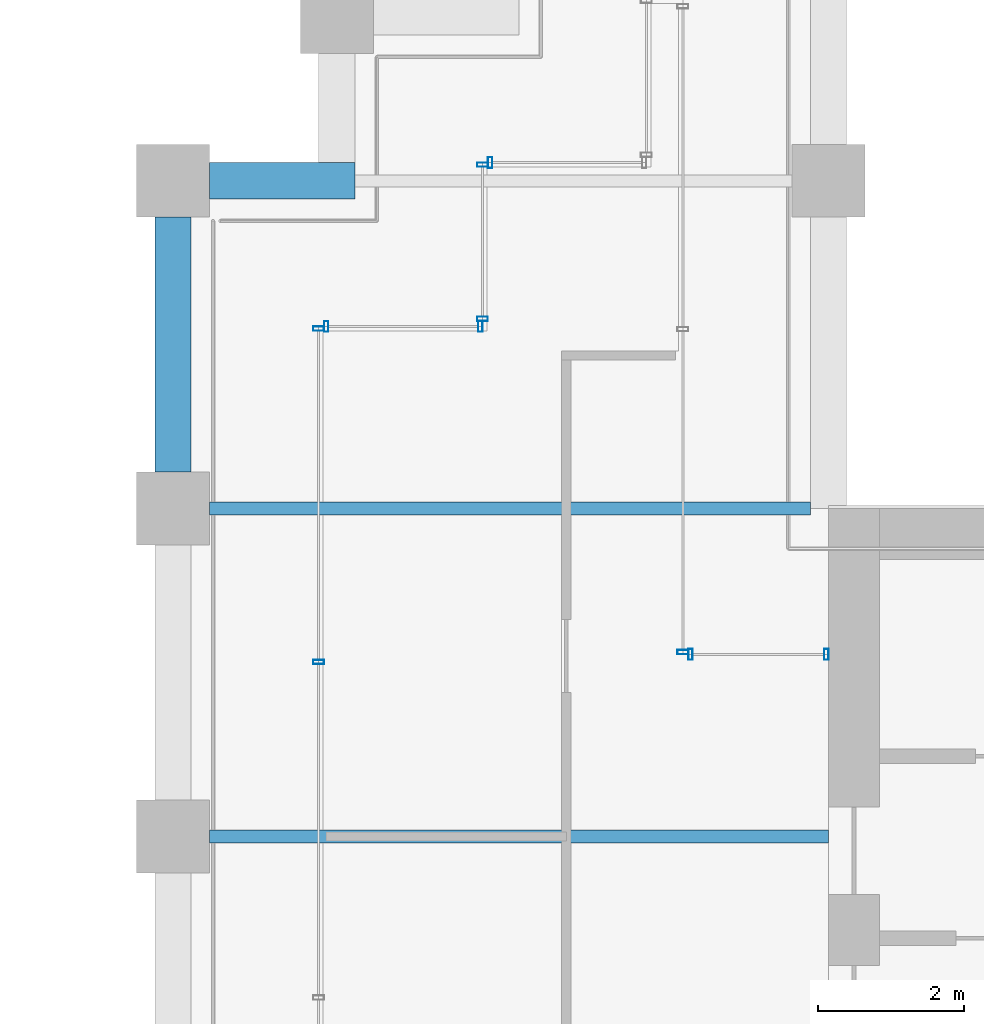
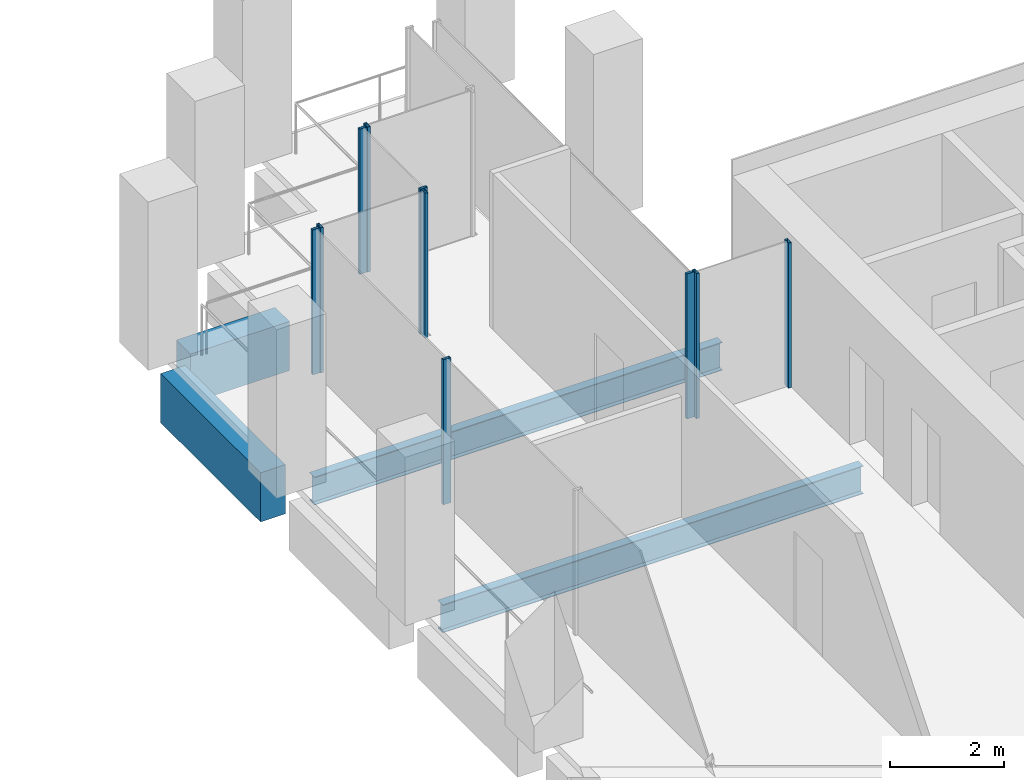
# One storey, part 34 of 45: 10 members, 4 beams, 6 elements without a shape of their own.
"""IFC4 building model written with IfcOpenShell, lengths in metres."""

import ifcopenshell
import ifcopenshell.guid

model = None  # the IFC model being written
_history = None  # IfcOwnerHistory: only IFC2X3 demands one
_inside = {}  # id of a spatial element -> (the spatial element, [elements in it])
_under = {}  # id of a project, library or spatial element -> (it, [spatial elements below it])
_declared = {}  # id of a project -> (the project, [libraries it declares])
_typed = {}  # id of a type object -> (the type object, [elements of that type])
_made_of = {}  # id of a material, layer set ... -> (it, [elements and type objects made of it])


def new_model(schema):
    """Start an empty IFC model of exactly this schema.

    Asked for "IFC4X3", IfcOpenShell would pick the latest addendum, in which some entities
    have other attributes; the version numbers below select the first issue.
    IFC2X3 requires an IfcOwnerHistory on every rooted entity: one is made here for all.
    """
    global model, _history
    if schema == "IFC4X3":
        model = ifcopenshell.file(schema_version=(4, 3, 0, 0))
    else:
        model = ifcopenshell.file(schema=schema)
    _inside.clear()
    _under.clear()
    _declared.clear()
    _typed.clear()
    _made_of.clear()
    _history = None
    if model.schema == "IFC2X3":
        org = make("IfcOrganization", Name="unknown")
        user = make(
            "IfcPersonAndOrganization",
            ThePerson=make("IfcPerson", FamilyName="unknown"),
            TheOrganization=org,
        )
        app = make(
            "IfcApplication",
            ApplicationDeveloper=org,
            Version="unknown",
            ApplicationFullName="unknown",
            ApplicationIdentifier="unknown",
        )
        _history = make(
            "IfcOwnerHistory",
            OwningUser=user,
            OwningApplication=app,
            ChangeAction="ADDED",
            CreationDate=0,
        )
    return model


def make(cls, **values):
    """One entity of the class cls with the attributes given. An attribute that is None is left unset."""
    return model.create_entity(
        cls, **{name: value for name, value in values.items() if value is not None}
    )


def rooted(cls, **values):
    """An entity with a GlobalId (a new one), such as an element, a storey or a relation."""
    return make(cls, GlobalId=ifcopenshell.guid.new(), OwnerHistory=_history, **values)


def si_unit(unit_type, name, prefix=None):
    """IfcSIUnit, for example si_unit("LENGTHUNIT", "METRE", prefix="MILLI")."""
    return make("IfcSIUnit", UnitType=unit_type, Prefix=prefix, Name=name)


def assignment(units):
    """IfcUnitAssignment: the units of a project."""
    return None if units is None else make("IfcUnitAssignment", Units=units)


def point(xyz):
    """IfcCartesianPoint."""
    return None if xyz is None else make("IfcCartesianPoint", Coordinates=xyz)


def direction(xyz):
    """IfcDirection."""
    return None if xyz is None else make("IfcDirection", DirectionRatios=xyz)


def frame(location, z_axis=None, x_axis=None):
    """IfcAxis2Placement3D, a coordinate frame: its origin and axes. An axis left out is left unset."""
    return make(
        "IfcAxis2Placement3D",
        Location=point(location),
        Axis=direction(z_axis),
        RefDirection=direction(x_axis),
    )


def frame_2d(location, x_axis=None):
    """IfcAxis2Placement2D, a coordinate frame in the plane: its origin and x axis."""
    return make(
        "IfcAxis2Placement2D", Location=point(location), RefDirection=direction(x_axis)
    )


def origin():
    """The frame at (0, 0, 0) with its axes left unset."""
    return frame((0.0, 0.0, 0.0))


def origin_2d():
    """The frame at (0, 0) in the plane with its x axis left unset."""
    return frame_2d((0.0, 0.0))


def place(relative_to, where):
    """IfcLocalPlacement: puts the frame where relative to a parent placement (None: the world)."""
    return make(
        "IfcLocalPlacement", PlacementRelTo=relative_to, RelativePlacement=where
    )


def context(
    kind, dimensions, precision=None, world=None, true_north=None, identifier=None
):
    """IfcGeometricRepresentationContext, for example the 3D "Model" context."""
    return make(
        "IfcGeometricRepresentationContext",
        ContextIdentifier=identifier,
        ContextType=kind,
        CoordinateSpaceDimension=dimensions,
        Precision=precision,
        WorldCoordinateSystem=world,
        TrueNorth=true_north,
    )


def subcontext(parent, identifier, kind, view, scale=None):
    """IfcGeometricRepresentationSubContext, for example "Body" below "Model"."""
    return make(
        "IfcGeometricRepresentationSubContext",
        ContextIdentifier=identifier,
        ContextType=kind,
        ParentContext=parent,
        TargetScale=scale,
        TargetView=view,
    )


def project(units=None, contexts=None):
    """IfcProject with its units and contexts."""
    return rooted(
        "IfcProject",
        Name="project",
        RepresentationContexts=contexts,
        UnitsInContext=assignment(units),
    )


def spatial(cls, under=None, at=None, **own):
    """A site, building, storey or space (cls), placed at a placement, below another one or the project."""
    s = rooted(cls, ObjectPlacement=at, **own)
    if under is not None:
        _under.setdefault(under.id(), (under, []))[1].append(s)
    return s


def profile(cls, at=None, kind="AREA", **sizes):
    """A parametric profile (cls). Its sizes go by their IFC names, for example OverallWidth=200.0."""
    return make(cls, ProfileType=kind, Position=at, **sizes)


def rectangle(**sizes):
    """IfcRectangleProfileDef."""
    return profile("IfcRectangleProfileDef", **sizes)


def hollow_rectangle(**sizes):
    """IfcRectangleHollowProfileDef."""
    return profile("IfcRectangleHollowProfileDef", **sizes)


def i_section(**sizes):
    """IfcIShapeProfileDef."""
    return profile("IfcIShapeProfileDef", **sizes)


def extrude(swept, where, along, depth):
    """IfcExtrudedAreaSolid: the profile swept, set in the frame where, extruded along a direction by depth."""
    return make(
        "IfcExtrudedAreaSolid",
        SweptArea=swept,
        Position=where,
        ExtrudedDirection=direction(along),
        Depth=depth,
    )


def shape(context_of_items, identifier, shape_type, items):
    """IfcShapeRepresentation: the items that make up one representation, for example the "Body"."""
    return make(
        "IfcShapeRepresentation",
        ContextOfItems=context_of_items,
        RepresentationIdentifier=identifier,
        RepresentationType=shape_type,
        Items=items,
    )


def material(Name=None, Category=None):
    """IfcMaterial."""
    return make("IfcMaterial", Name=Name, Category=Category)


def material_profile(
    of_material, cross_section, Name=None, Category=None, Priority=None
):
    """IfcMaterialProfile: a cross section and its material."""
    return make(
        "IfcMaterialProfile",
        Name=Name,
        Material=of_material,
        Profile=cross_section,
        Priority=Priority,
        Category=Category,
    )


def profile_set(profiles, Name=None, composite=None):
    """IfcMaterialProfileSet."""
    return make(
        "IfcMaterialProfileSet",
        Name=Name,
        MaterialProfiles=profiles,
        CompositeProfile=composite,
    )


def made_of(thing, what):
    """Note that an element or type object is made of a material, layer set ...; save() writes the relation."""
    if what is not None:
        _made_of.setdefault(what.id(), (what, []))[1].append(thing)
    return thing


def type_object(cls, material=None, **own):
    """A type object (cls), such as IfcWallType, which elements share."""
    return made_of(rooted(cls, **own), material)


def element(
    cls,
    number,
    at=None,
    inside=None,
    cuts=None,
    type_object=None,
    material=None,
    context=None,
    identifier="Body",
    shape_type=None,
    held_by="IfcProductDefinitionShape",
    body=None,
    shapes=None,
    **own,
):
    """One element of the class cls, such as IfcWall. Its Tag is "e" and its number.

    at: its placement. inside: the storey or other place that contains it. cuts: it is an
    opening in that element (IfcRelVoidsElement). A single representation is given by context,
    identifier, shape_type and body (its items); several are given by shapes. held_by: the class
    of the entity that holds the representations. save() writes the other relations.
    """
    e = rooted(cls, Tag="e%d" % number, ObjectPlacement=at, **own)
    if body is not None:
        shapes = [shape(context, identifier, shape_type, body)]
    if shapes is not None:
        e.Representation = make(held_by, Representations=shapes)
    if inside is not None:
        _inside.setdefault(inside.id(), (inside, []))[1].append(e)
    if cuts is not None:
        rooted(
            "IfcRelVoidsElement", RelatingBuildingElement=cuts, RelatedOpeningElement=e
        )
    if type_object is not None:
        _typed.setdefault(type_object.id(), (type_object, []))[1].append(e)
    return made_of(e, material)


def aggregate(whole, parts):
    """IfcRelAggregates: a whole, such as a stair, and the parts it consists of."""
    return rooted("IfcRelAggregates", RelatingObject=whole, RelatedObjects=parts)


def save(model, path):
    """Write the relations noted so far, then the file.

    IfcRelAggregates (storeys below a building ...), IfcRelContainedInSpatialStructure (elements
    in a storey), IfcRelDefinesByType, IfcRelAssociatesMaterial and IfcRelDeclares: one each for
    every whole, place, type object, material and project.
    """
    for whole, parts in _under.values():
        aggregate(whole, parts)
    for where, things in _inside.values():
        rooted(
            "IfcRelContainedInSpatialStructure",
            RelatedElements=things,
            RelatingStructure=where,
        )
    for kind, things in _typed.values():
        rooted("IfcRelDefinesByType", RelatedObjects=things, RelatingType=kind)
    for what, things in _made_of.values():
        rooted("IfcRelAssociatesMaterial", RelatedObjects=things, RelatingMaterial=what)
    for by, libraries in _declared.values():
        rooted("IfcRelDeclares", RelatingContext=by, RelatedDefinitions=libraries)
    model.write(path)


model = new_model("IFC4")

# Units and contexts
model_context = context("Model", 3, precision=1e-05, world=origin(), true_north=direction((0.0, 1.0)))
body_context = subcontext(model_context, "Body", "Model", "MODEL_VIEW")
ifc_project = project(units=[si_unit("LENGTHUNIT", "METRE"), si_unit("AREAUNIT", "SQUARE_METRE"), si_unit("VOLUMEUNIT", "CUBIC_METRE"), si_unit("PLANEANGLEUNIT", "RADIAN"), si_unit("MASSUNIT", "GRAM", prefix="KILO")], contexts=[model_context])

# Site, building, storey
site_placement = place(None, origin())
site = spatial("IfcSite", under=ifc_project, at=site_placement, CompositionType="ELEMENT")
building_placement = place(site_placement, origin())
building = spatial("IfcBuilding", under=site, at=building_placement, Name="Altepetl Exchange Towers", CompositionType="ELEMENT")
storey_placement = place(building_placement, frame((0.0, 0.0, 110.0)))
storey = spatial("IfcBuildingStorey", under=building, at=storey_placement, Name="L27", CompositionType="ELEMENT", Elevation=110.0)

# Beams
ifc_material_1 = material(Name="Steel S355", Category="steel")
ifc_material_profile_1 = material_profile(ifc_material_1, i_section(OverallWidth=0.177978515625, OverallDepth=0.59912109375, WebThickness=0.010009765625, FlangeThickness=0.0126953125, at=origin_2d()), Name="W24X55")
ifc_profile_set_1 = profile_set([ifc_material_profile_1], Name="Steel S355")
beam_type_1 = type_object("IfcBeamType", Name="Floor beam W24X55", PredefinedType="BEAM", material=ifc_profile_set_1)
beam_1_placement = place(storey_placement, frame((95.0, 45.0, -0.449462890625), z_axis=(1.0, 0.0, 0.0), x_axis=(0.0, 1.0, 0.0)))
element("IfcBeam", 1, at=beam_1_placement, inside=storey, type_object=beam_type_1, Name="bm:B:L27:009", PredefinedType="BEAM", context=body_context, shape_type="SweptSolid", body=[
    extrude(i_section(OverallWidth=0.177978515625, OverallDepth=0.59912109375, WebThickness=0.010009765625, FlangeThickness=0.0126953125, at=origin_2d()), origin(), (0.0, 0.0, 1.0), 8.5),
])
beam_2_placement = place(storey_placement, frame((95.0, 49.5, -0.449462890625), z_axis=(1.0, 0.0, 0.0), x_axis=(0.0, 1.0, 0.0)))
element("IfcBeam", 2, at=beam_2_placement, inside=storey, type_object=beam_type_1, Name="bm:B:L27:010", PredefinedType="BEAM", context=body_context, shape_type="SweptSolid", body=[
    extrude(i_section(OverallWidth=0.177978515625, OverallDepth=0.59912109375, WebThickness=0.010009765625, FlangeThickness=0.0126953125, at=origin_2d()), origin(), (0.0, 0.0, 1.0), 8.25),
])

# Curtain wall, members
ifc_material_2 = material(Name="Aluminium 6063-T6 glazing", Category="aluminium")
curtain_wall_type = type_object("IfcCurtainWallType", Name="Loggia glazing system", PredefinedType="NOTDEFINED", material=ifc_material_2)
curtain_wall_1_placement = place(storey_placement, origin())
curtain_wall_1 = element("IfcCurtainWall", 3, at=curtain_wall_1_placement, inside=storey, type_object=curtain_wall_type, Name="CW1 run", PredefinedType="NOTDEFINED")
ifc_material_3 = material(Name="Aluminium 6063-T6", Category="aluminium")
ifc_material_profile_2 = material_profile(ifc_material_3, hollow_rectangle(XDim=0.06005859375, YDim=0.14990234375, WallThickness=0.0029296875, at=origin_2d()), Name="Mullion 60x150 aluminium")
ifc_profile_set_2 = profile_set([ifc_material_profile_2], Name="Aluminium 6063-T6")
member_type = type_object("IfcMemberType", Name="Mullion 60x150 aluminium", PredefinedType="MULLION", material=ifc_profile_set_2)
member_1_placement = place(storey_placement, frame((98.719970703125, 52.0, 0.0), z_axis=(0.0, 0.0, 1.0), x_axis=(-1.0, 0.0, 0.0)))
member_1 = element("IfcMember", 4, at=member_1_placement, type_object=member_type, Name="MU1 mullion", PredefinedType="MULLION", context=body_context, shape_type="SweptSolid", body=[
    extrude(hollow_rectangle(XDim=0.06005859375, YDim=0.14990234375, WallThickness=0.0029296875, at=origin_2d()), origin(), (0.0, 0.0, 1.0), 3.10009765625),
])
member_2_placement = place(storey_placement, frame((96.60498046875, 52.0, 0.0), z_axis=(0.0, 0.0, 1.0), x_axis=(-1.0, 0.0, 0.0)))
member_2 = element("IfcMember", 5, at=member_2_placement, type_object=member_type, Name="MU1 mullion", PredefinedType="MULLION", context=body_context, shape_type="SweptSolid", body=[
    extrude(hollow_rectangle(XDim=0.06005859375, YDim=0.14990234375, WallThickness=0.0029296875, at=origin_2d()), origin(), (0.0, 0.0, 1.0), 3.10009765625),
])
aggregate(curtain_wall_1, [member_1, member_2])

curtain_wall_2_placement = place(storey_placement, origin())
curtain_wall_2 = element("IfcCurtainWall", 6, at=curtain_wall_2_placement, inside=storey, type_object=curtain_wall_type, Name="CW1 run", PredefinedType="NOTDEFINED")
member_3_placement = place(storey_placement, frame((96.5, 51.969970703125, 0.0), z_axis=(0.0, 0.0, 1.0), x_axis=(0.0, -1.0, 0.0)))
member_3 = element("IfcMember", 7, at=member_3_placement, type_object=member_type, Name="MU1 mullion", PredefinedType="MULLION", context=body_context, shape_type="SweptSolid", body=[
    extrude(hollow_rectangle(XDim=0.06005859375, YDim=0.14990234375, WallThickness=0.0029296875, at=origin_2d()), origin(), (0.0, 0.0, 1.0), 3.10009765625),
])
member_4_placement = place(storey_placement, frame((96.5, 47.393798828125, 0.0), z_axis=(0.0, 0.0, 1.0), x_axis=(0.0, -1.0, 0.0)))
member_4 = element("IfcMember", 8, at=member_4_placement, type_object=member_type, Name="MU1 mullion", PredefinedType="MULLION", context=body_context, shape_type="SweptSolid", body=[
    extrude(hollow_rectangle(XDim=0.06005859375, YDim=0.14990234375, WallThickness=0.0029296875, at=origin_2d()), origin(), (0.0, 0.0, 1.0), 3.10009765625),
])
aggregate(curtain_wall_2, [member_3, member_4])

curtain_wall_3_placement = place(storey_placement, origin())
curtain_wall_3 = element("IfcCurtainWall", 9, at=curtain_wall_3_placement, inside=storey, type_object=curtain_wall_type, Name="CW1 run", PredefinedType="NOTDEFINED")
member_5_placement = place(storey_placement, frame((103.469970703125, 47.5, 0.0), z_axis=(0.0, 0.0, 1.0), x_axis=(-1.0, 0.0, 0.0)))
member_5 = element("IfcMember", 10, at=member_5_placement, type_object=member_type, Name="MU1 mullion", PredefinedType="MULLION", context=body_context, shape_type="SweptSolid", body=[
    extrude(hollow_rectangle(XDim=0.06005859375, YDim=0.14990234375, WallThickness=0.0029296875, at=origin_2d()), origin(), (0.0, 0.0, 1.0), 3.10009765625),
])
member_6_placement = place(storey_placement, frame((101.60498046875, 47.5, 0.0), z_axis=(0.0, 0.0, 1.0), x_axis=(-1.0, 0.0, 0.0)))
member_6 = element("IfcMember", 11, at=member_6_placement, type_object=member_type, Name="MU1 mullion", PredefinedType="MULLION", context=body_context, shape_type="SweptSolid", body=[
    extrude(hollow_rectangle(XDim=0.06005859375, YDim=0.14990234375, WallThickness=0.0029296875, at=origin_2d()), origin(), (0.0, 0.0, 1.0), 3.10009765625),
])
aggregate(curtain_wall_3, [member_5, member_6])

# Curtain wall, member
curtain_wall_4_placement = place(storey_placement, origin())
curtain_wall_4 = element("IfcCurtainWall", 12, at=curtain_wall_4_placement, inside=storey, type_object=curtain_wall_type, Name="CW1 run", PredefinedType="NOTDEFINED")
member_7_placement = place(storey_placement, frame((101.5, 47.530029296875, 0.0), z_axis=(0.0, 0.0, 1.0), x_axis=(0.0, 1.0, 0.0)))
member_7 = element("IfcMember", 13, at=member_7_placement, type_object=member_type, Name="MU1 mullion", PredefinedType="MULLION", context=body_context, shape_type="SweptSolid", body=[
    extrude(hollow_rectangle(XDim=0.06005859375, YDim=0.14990234375, WallThickness=0.0029296875, at=origin_2d()), origin(), (0.0, 0.0, 1.0), 3.10009765625),
])
aggregate(curtain_wall_4, [member_7])

curtain_wall_5_placement = place(storey_placement, origin())
curtain_wall_5 = element("IfcCurtainWall", 14, at=curtain_wall_5_placement, inside=storey, type_object=curtain_wall_type, Name="CW1 run", PredefinedType="NOTDEFINED")
member_8_placement = place(storey_placement, frame((98.85498046875, 54.25, 0.0), z_axis=(0.0, 0.0, 1.0), x_axis=(-1.0, 0.0, 0.0)))
member_8 = element("IfcMember", 15, at=member_8_placement, type_object=member_type, Name="MU1 mullion", PredefinedType="MULLION", context=body_context, shape_type="SweptSolid", body=[
    extrude(hollow_rectangle(XDim=0.06005859375, YDim=0.14990234375, WallThickness=0.0029296875, at=origin_2d()), origin(), (0.0, 0.0, 1.0), 3.10009765625),
])
aggregate(curtain_wall_5, [member_8])

# Curtain wall, members
curtain_wall_6_placement = place(storey_placement, origin())
curtain_wall_6 = element("IfcCurtainWall", 16, at=curtain_wall_6_placement, inside=storey, type_object=curtain_wall_type, Name="CW1 run", PredefinedType="NOTDEFINED")
member_9_placement = place(storey_placement, frame((98.75, 54.219970703125, 0.0), z_axis=(0.0, 0.0, 1.0), x_axis=(0.0, -1.0, 0.0)))
member_9 = element("IfcMember", 17, at=member_9_placement, type_object=member_type, Name="MU1 mullion", PredefinedType="MULLION", context=body_context, shape_type="SweptSolid", body=[
    extrude(hollow_rectangle(XDim=0.06005859375, YDim=0.14990234375, WallThickness=0.0029296875, at=origin_2d()), origin(), (0.0, 0.0, 1.0), 3.10009765625),
])
member_10_placement = place(storey_placement, frame((98.75, 52.10498046875, 0.0), z_axis=(0.0, 0.0, 1.0), x_axis=(0.0, -1.0, 0.0)))
member_10 = element("IfcMember", 18, at=member_10_placement, type_object=member_type, Name="MU1 mullion", PredefinedType="MULLION", context=body_context, shape_type="SweptSolid", body=[
    extrude(hollow_rectangle(XDim=0.06005859375, YDim=0.14990234375, WallThickness=0.0029296875, at=origin_2d()), origin(), (0.0, 0.0, 1.0), 3.10009765625),
])
aggregate(curtain_wall_6, [member_9, member_10])

# Beams
ifc_material_4 = material(Name="Concrete C50/60 precast with cantera rosa facing", Category="concrete")
ifc_material_profile_3 = material_profile(ifc_material_4, rectangle(XDim=0.5, YDim=1.050048828125, at=origin_2d()), Name="500 x 1050")
ifc_profile_set_3 = profile_set([ifc_material_profile_3], Name="Concrete C50/60 precast with cantera rosa facing")
beam_type_2 = type_object("IfcBeamType", Name="Spandrel beam 500x1050 cantera rosa", PredefinedType="SPANDREL", material=ifc_profile_set_3)
beam_3_placement = place(storey_placement, frame((97.0, 54.0, -0.675048828125), z_axis=(-1.0, 0.0, 0.0), x_axis=(0.0, -1.0, 0.0)))
element("IfcBeam", 19, at=beam_3_placement, inside=storey, type_object=beam_type_2, Name="sp:B:L27:021", PredefinedType="SPANDREL", context=body_context, shape_type="SweptSolid", body=[
    extrude(rectangle(XDim=0.5, YDim=1.050048828125, at=origin_2d()), origin(), (0.0, 0.0, 1.0), 2.0),
])
beam_4_placement = place(storey_placement, frame((94.5, 53.5, -0.675048828125), z_axis=(0.0, -1.0, 0.0), x_axis=(1.0, 0.0, 0.0)))
element("IfcBeam", 20, at=beam_4_placement, inside=storey, type_object=beam_type_2, Name="sp:B:L27:022", PredefinedType="SPANDREL", context=body_context, shape_type="SweptSolid", body=[
    extrude(rectangle(XDim=0.5, YDim=1.050048828125, at=origin_2d()), origin(), (0.0, 0.0, 1.0), 3.5),
])

save(model, "model.ifc")
